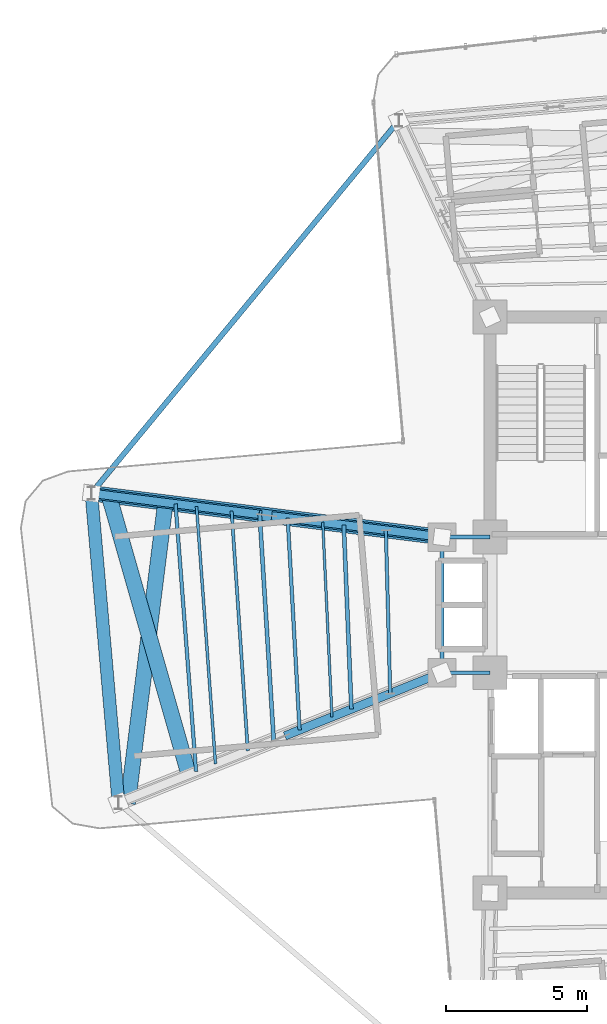
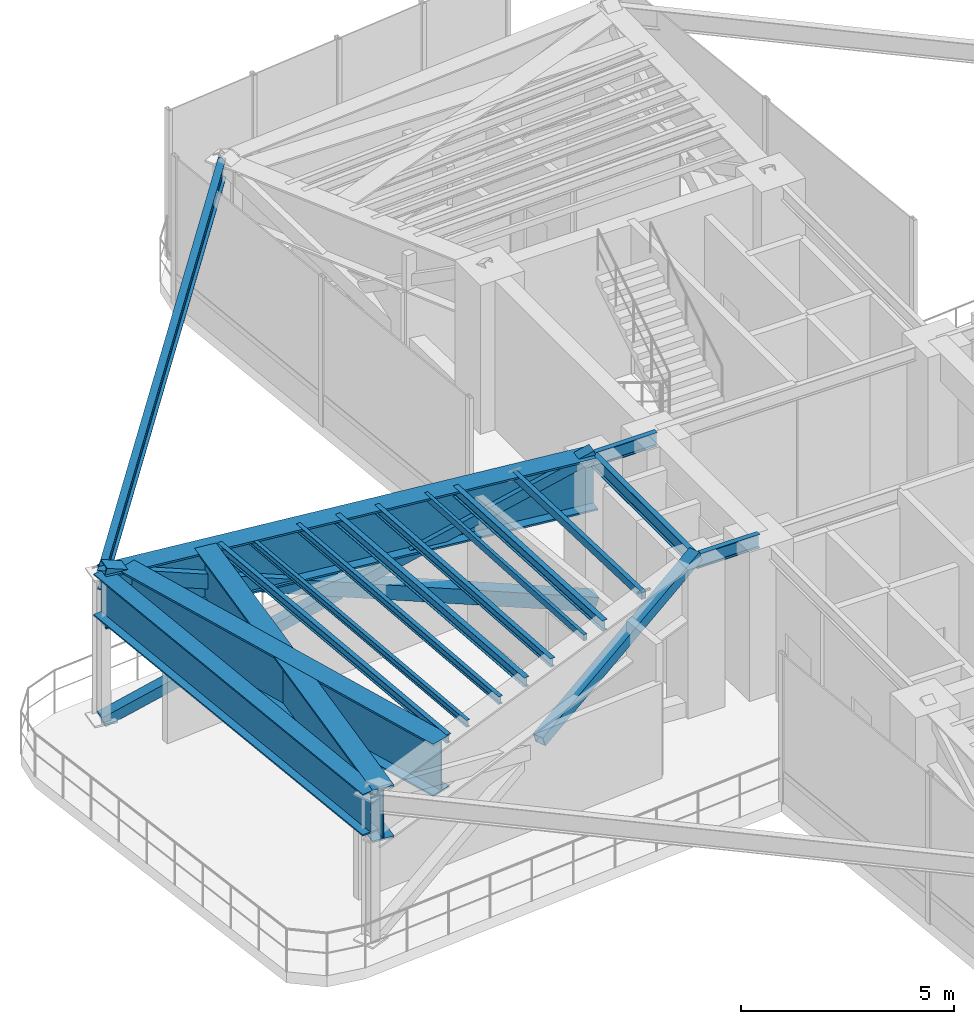
# One storey, part 5 of 17: 16 beams, 4 members.
"""IFC4 building model written with IfcOpenShell, lengths in metres."""

from ifc_helpers import new_model, si_unit, direction, frame, origin, origin_2d, place, context, subcontext, project, spatial, hollow_rectangle, i_section, extrude, source, transform, mapped, material, material_profile, profile_set, type_object, element, save


model = new_model("IFC4")

# Units and contexts
model_context = context("Model", 3, precision=1e-05, world=origin(), true_north=direction((0.0, 1.0)))
body_context = subcontext(model_context, "Body", "Model", "MODEL_VIEW")
ifc_project = project(units=[si_unit("LENGTHUNIT", "METRE"), si_unit("AREAUNIT", "SQUARE_METRE"), si_unit("VOLUMEUNIT", "CUBIC_METRE"), si_unit("PLANEANGLEUNIT", "RADIAN"), si_unit("MASSUNIT", "GRAM", prefix="KILO")], contexts=[model_context])

# Site, building, storey
site_placement = place(None, origin())
site = spatial("IfcSite", under=ifc_project, at=site_placement, CompositionType="ELEMENT")
building_placement = place(site_placement, origin())
building = spatial("IfcBuilding", under=site, at=building_placement, Name="Sahyath Konkavel Grand Hotel", CompositionType="ELEMENT")
storey_placement = place(building_placement, frame((0.0, 0.0, 202.0)))
storey = spatial("IfcBuildingStorey", under=building, at=storey_placement, Name="L56", CompositionType="ELEMENT", Elevation=202.0)

# Beams
ifc_material_1 = material(Name="Steel E350", Category="steel")
ifc_material_profile_1 = material_profile(ifc_material_1, i_section(OverallWidth=0.139892578125, OverallDepth=0.39990234375, WebThickness=0.0087890625, FlangeThickness=0.01611328125, FilletRadius=0.013916015625, at=origin_2d()), Name="ISMB 400")
ifc_profile_set_1 = profile_set([ifc_material_profile_1], Name="Steel E350")
beam_type_1 = type_object("IfcBeamType", Name="BM-ISMB400", PredefinedType="BEAM", material=ifc_profile_set_1)
shared_shape_1 = source(origin(), body_context, "Body", "SweptSolid", [
    extrude(i_section(OverallWidth=0.139892578125, OverallDepth=0.39990234375, WebThickness=0.0087890625, FlangeThickness=0.01611328125, FilletRadius=0.013916015625, at=origin_2d()), origin(), (0.0, 0.0, 1.0), 1.699951171875),
])
for number, where, z_axis, x_axis, name in (
    (1, (-5.5, 2.39990234375, 4.06005859375), (1.0, 0.0, 0.0), (0.0, 1.0, 0.0), "str:bm:L56:HB-NW"),
    (2, (-5.5, -2.39990234375, 4.06005859375), (1.0, 0.0, 0.0), (0.0, 1.0, 0.0), "str:bm:L56:HB-SW"),
):
    element("IfcBeam", number, at=place(storey_placement, frame(where, z_axis=z_axis, x_axis=x_axis)), inside=storey, type_object=beam_type_1, Name=name, PredefinedType="BEAM", context=body_context, shape_type="MappedRepresentation", body=[
        mapped(shared_shape_1, transform((0.0, 0.0, 0.0), scale=1.0)),
    ])
shared_shape_2 = source(origin(), body_context, "Body", "SweptSolid", [
    extrude(i_section(OverallWidth=0.139892578125, OverallDepth=0.39990234375, WebThickness=0.0087890625, FlangeThickness=0.01611328125, FilletRadius=0.013916015625, at=origin_2d()), origin(), (0.0, 0.0, 1.0), 4.7998046875),
])
beam_1_placement = place(storey_placement, frame((-5.5, -2.39990234375, 4.06005859375), z_axis=(0.0, 1.0, 0.0), x_axis=(-1.0, 0.0, 0.0)))
element("IfcBeam", 3, at=beam_1_placement, inside=storey, type_object=beam_type_1, Name="str:bm:L56:HB-W", PredefinedType="BEAM", context=body_context, shape_type="MappedRepresentation", body=[
    mapped(shared_shape_2, transform((0.0, 0.0, 0.0), scale=1.0)),
])
ifc_material_profile_2 = material_profile(ifc_material_1, i_section(OverallWidth=0.139892578125, OverallDepth=0.300048828125, WebThickness=0.0078125, FlangeThickness=0.01318359375, FilletRadius=0.013916015625, at=origin_2d()), Name="ISMB 300")
ifc_profile_set_2 = profile_set([ifc_material_profile_2], Name="Steel E350")
beam_type_2 = type_object("IfcBeamType", Name="BM-ISMB300", PredefinedType="BEAM", material=ifc_profile_set_2)
shared_shape_3 = source(origin(), body_context, "Body", "SweptSolid", [
    extrude(i_section(OverallWidth=0.139892578125, OverallDepth=0.300048828125, WebThickness=0.0078125, FlangeThickness=0.01318359375, FilletRadius=0.013916015625, at=origin_2d()), origin(), (0.0, 0.0, 1.0), 6.530029296875),
])
beam_2_placement = place(storey_placement, frame((-8.9755859375, 2.835205078125, 4.110107421875), z_axis=(0.04112667768, -0.999153940283, 0.0), x_axis=(0.999153940283, 0.04112667768, 0.0)))
element("IfcBeam", 4, at=beam_2_placement, inside=storey, type_object=beam_type_2, Name="L56 Secondary Floor Beam W-1", PredefinedType="BEAM", context=body_context, shape_type="MappedRepresentation", body=[
    mapped(shared_shape_3, transform((0.0, 0.0, 0.0), scale=1.0)),
])
ifc_material_profile_3 = material_profile(ifc_material_1, i_section(OverallWidth=0.139892578125, OverallDepth=0.27490234375, WebThickness=0.00634765625, FlangeThickness=0.0087890625, FilletRadius=0.012939453125, at=origin_2d()), Name="ISLB 275")
ifc_profile_set_3 = profile_set([ifc_material_profile_3], Name="Steel E350")
beam_type_3 = type_object("IfcBeamType", Name="BM-ISLB275", PredefinedType="BEAM", material=ifc_profile_set_3)
shared_shape_4 = source(origin(), body_context, "Body", "SweptSolid", [
    extrude(i_section(OverallWidth=0.139892578125, OverallDepth=0.27490234375, WebThickness=0.00634765625, FlangeThickness=0.0087890625, FilletRadius=0.012939453125, at=origin_2d()), origin(), (0.0, 0.0, 1.0), 8.017822265625),
])
beam_3_placement = place(storey_placement, frame((-11.95458984375, 3.2080078125, 4.12255859375), z_axis=(0.062179233264, -0.998064999362, 0.0), x_axis=(0.998064999362, 0.062179233264, 0.0)))
element("IfcBeam", 5, at=beam_3_placement, inside=storey, type_object=beam_type_3, Name="L56 Secondary Floor Beam W-2", PredefinedType="BEAM", context=body_context, shape_type="MappedRepresentation", body=[
    mapped(shared_shape_4, transform((0.0, 0.0, 0.0), scale=1.0)),
])
ifc_material_profile_4 = material_profile(ifc_material_1, i_section(OverallWidth=0.125, OverallDepth=0.25, WebThickness=0.0068359375, FlangeThickness=0.012451171875, FilletRadius=0.012939453125, at=origin_2d()), Name="ISMB 250")
ifc_profile_set_4 = profile_set([ifc_material_profile_4], Name="Steel E350")
beam_type_4 = type_object("IfcBeamType", Name="BM-ISMB250", PredefinedType="BEAM", material=ifc_profile_set_4)
shared_shape_5 = source(origin(), body_context, "Body", "SweptSolid", [
    extrude(i_section(OverallWidth=0.125, OverallDepth=0.25, WebThickness=0.0068359375, FlangeThickness=0.012451171875, FilletRadius=0.012939453125, at=origin_2d()), origin(), (0.0, 0.0, 1.0), 9.508056640625),
])
beam_4_placement = place(storey_placement, frame((-14.93359375, 3.580810546875, 4.135009765625), z_axis=(0.076619921029, -0.997060373148, 0.0), x_axis=(0.997060373148, 0.076619921029, 0.0)))
element("IfcBeam", 6, at=beam_4_placement, inside=storey, type_object=beam_type_4, Name="L56 Secondary Floor Beam W-3", PredefinedType="BEAM", context=body_context, shape_type="MappedRepresentation", body=[
    mapped(shared_shape_5, transform((0.0, 0.0, 0.0), scale=1.0)),
])
ifc_material_2 = material(Name="Steel E450", Category="steel")
ifc_material_profile_5 = material_profile(ifc_material_2, i_section(OverallWidth=0.550048828125, OverallDepth=1.5, WebThickness=0.028076171875, FlangeThickness=0.050048828125, at=origin_2d()), Name="BPG 1500x550")
ifc_profile_set_5 = profile_set([ifc_material_profile_5], Name="Steel E450")
beam_type_5 = type_object("IfcBeamType", Name="BM-BPG1500", PredefinedType="BEAM", material=ifc_profile_set_5)
shared_shape_6 = source(origin(), body_context, "Body", "SweptSolid", [
    extrude(i_section(OverallWidth=0.550048828125, OverallDepth=1.5, WebThickness=0.028076171875, FlangeThickness=0.050048828125, at=origin_2d()), origin(), (0.0, 0.0, 1.0), 12.509765625),
])
beam_5_placement = place(storey_placement, frame((-5.5, 2.39990234375, 3.510009765625), z_axis=(-0.992254740459, 0.124219684578, 0.0), x_axis=(-0.124219684578, -0.992254740459, 0.0)))
element("IfcBeam", 7, at=beam_5_placement, inside=storey, type_object=beam_type_5, Name="L56 Setback Transfer Girder WA", PredefinedType="BEAM", context=body_context, shape_type="MappedRepresentation", body=[
    mapped(shared_shape_6, transform((0.0, 0.0, 0.0), scale=1.0)),
])
shared_shape_7 = source(origin(), body_context, "Body", "SweptSolid", [
    extrude(i_section(OverallWidth=0.550048828125, OverallDepth=1.5, WebThickness=0.028076171875, FlangeThickness=0.050048828125, at=origin_2d()), origin(), (0.0, 0.0, 1.0), 10.2763671875),
])
beam_6_placement = place(storey_placement, frame((-17.292236328125, 3.876220703125, 3.510009765625), z_axis=(0.275182349095, -0.961392050491, 0.0), x_axis=(0.961392050491, 0.275182349095, 0.0)))
element("IfcBeam", 8, at=beam_6_placement, inside=storey, type_object=beam_type_5, Name="L56 Setback Cross Transfer Girder W-1", PredefinedType="BEAM", context=body_context, shape_type="MappedRepresentation", body=[
    mapped(shared_shape_7, transform((0.0, 0.0, 0.0), scale=1.0)),
])
shared_shape_8 = source(origin(), body_context, "Body", "SweptSolid", [
    extrude(i_section(OverallWidth=0.550048828125, OverallDepth=1.5, WebThickness=0.028076171875, FlangeThickness=0.050048828125, at=origin_2d()), origin(), (0.0, 0.0, 1.0), 10.73876953125),
])
beam_7_placement = place(storey_placement, frame((-15.290771484375, 3.62548828125, 3.510009765625), z_axis=(-0.124199821978, -0.992257226842, 0.0), x_axis=(0.992257226842, -0.124199821978, 0.0)))
element("IfcBeam", 9, at=beam_7_placement, inside=storey, type_object=beam_type_5, Name="L56 Setback Cross Transfer Girder W-2", PredefinedType="BEAM", context=body_context, shape_type="MappedRepresentation", body=[
    mapped(shared_shape_8, transform((0.0, 0.0, 0.0), scale=1.0)),
])
ifc_material_profile_6 = material_profile(ifc_material_2, i_section(OverallWidth=0.449951171875, OverallDepth=1.199951171875, WebThickness=0.02197265625, FlangeThickness=0.0400390625, at=origin_2d()), Name="BPG 1200x450")
ifc_profile_set_6 = profile_set([ifc_material_profile_6], Name="Steel E450")
beam_type_6 = type_object("IfcBeamType", Name="BM-BPG1200", PredefinedType="BEAM", material=ifc_profile_set_6)
shared_shape_9 = source(origin(), body_context, "Body", "SweptSolid", [
    extrude(i_section(OverallWidth=0.449951171875, OverallDepth=1.199951171875, WebThickness=0.02197265625, FlangeThickness=0.0400390625, at=origin_2d()), origin(), (0.0, 0.0, 1.0), 11.0),
])
beam_8_placement = place(storey_placement, frame((-17.912841796875, 3.953857421875, 3.659912109375), z_axis=(0.087157314015, -0.996194560622, 0.0), x_axis=(0.996194560622, 0.087157314015, 0.0)))
element("IfcBeam", 10, at=beam_8_placement, inside=storey, type_object=beam_type_6, Name="L56 Wing Tip Edge Beam W", PredefinedType="BEAM", context=body_context, shape_type="MappedRepresentation", body=[
    mapped(shared_shape_9, transform((0.0, 0.0, 0.0), scale=1.0)),
])
ifc_material_profile_7 = material_profile(ifc_material_1, i_section(OverallWidth=0.18994140625, OverallDepth=0.550048828125, WebThickness=0.01123046875, FlangeThickness=0.019287109375, FilletRadius=0.01806640625, at=origin_2d()), Name="ISMB 550")
ifc_profile_set_7 = profile_set([ifc_material_profile_7], Name="Steel E350")
beam_type_7 = type_object("IfcBeamType", Name="BM-ISMB550", PredefinedType="BEAM", material=ifc_profile_set_7)
shared_shape_10 = source(origin(), body_context, "Body", "SweptSolid", [
    extrude(i_section(OverallWidth=0.18994140625, OverallDepth=0.550048828125, WebThickness=0.01123046875, FlangeThickness=0.019287109375, FilletRadius=0.01806640625, at=origin_2d()), origin(), (0.0, 0.0, 1.0), 17.112548828125),
])
beam_9_placement = place(storey_placement, frame((-7.021728515625, 17.1533203125, 3.985107421875), z_axis=(-0.636437070092, -0.77132863023, 0.0), x_axis=(0.77132863023, -0.636437070092, 0.0)))
element("IfcBeam", 11, at=beam_9_placement, inside=storey, type_object=beam_type_7, Name="L56 Re-Entrant Tie Beam NW", PredefinedType="BEAM", context=body_context, shape_type="MappedRepresentation", body=[
    mapped(shared_shape_10, transform((0.0, 0.0, 0.0), scale=1.0)),
])

# Members
ifc_material_profile_8 = material_profile(ifc_material_2, hollow_rectangle(XDim=0.39990234375, YDim=0.39990234375, WallThickness=0.02001953125, at=origin_2d()), Name="SHS 400x400x20")
ifc_profile_set_8 = profile_set([ifc_material_profile_8], Name="Steel E450")
member_type_1 = type_object("IfcMemberType", Name="BR-SHS400", PredefinedType="BRACE", material=ifc_profile_set_8)
shared_shape_11 = source(origin(), body_context, "Body", "SweptSolid", [
    extrude(hollow_rectangle(XDim=0.39990234375, YDim=0.39990234375, WallThickness=0.02001953125, at=origin_2d()), origin(), (0.0, 0.0, 1.0), 13.208740234375),
])
member_1_placement = place(storey_placement, frame((-5.5, 2.39990234375, 0.010009765625), z_axis=(-0.939744247638, 0.117645932306, 0.320998728414), x_axis=(-0.124219684578, -0.992254740459, 0.0)))
element("IfcMember", 12, at=member_1_placement, inside=storey, type_object=member_type_1, Name="L56 Core Outrigger Truss WA Continuous Diagonal 1", PredefinedType="BRACE", context=body_context, shape_type="MappedRepresentation", body=[
    mapped(shared_shape_11, transform((0.0, 0.0, 0.0), scale=1.0)),
])
ifc_material_profile_9 = material_profile(ifc_material_2, hollow_rectangle(XDim=0.300048828125, YDim=0.300048828125, WallThickness=0.01611328125, at=origin_2d()), Name="SHS 300x300x16")
ifc_profile_set_9 = profile_set([ifc_material_profile_9], Name="Steel E450")
member_type_2 = type_object("IfcMemberType", Name="BR-SHS300", PredefinedType="BRACE", material=ifc_profile_set_9)
shared_shape_12 = source(origin(), body_context, "Body", "SweptSolid", [
    extrude(hollow_rectangle(XDim=0.300048828125, YDim=0.300048828125, WallThickness=0.01611328125, at=origin_2d()), origin(), (0.0, 0.0, 1.0), 6.364501953125),
])
for number, where, z_axis, x_axis, name in (
    (13, (-17.912841796875, 3.953857421875, 0.010009765625), (0.939744349799, -0.117650253932, 0.320996845421), (0.124224163975, 0.992254179676, 0.0), "L56 Core Outrigger Truss WA Split Lower Diagonal 2A"),
    (14, (-11.48095703125, 3.148681640625, 2.20703125), (0.939744349799, -0.117650253932, 0.320996845421), (0.124224163975, 0.992254179676, 0.0), "L56 Core Outrigger Truss WA Split Upper Diagonal 2B"),
):
    element("IfcMember", number, at=place(storey_placement, frame(where, z_axis=z_axis, x_axis=x_axis)), inside=storey, type_object=member_type_2, Name=name, PredefinedType="BRACE", context=body_context, shape_type="MappedRepresentation", body=[
        mapped(shared_shape_12, transform((0.0, 0.0, 0.0), scale=1.0)),
    ])
shared_shape_13 = source(origin(), body_context, "Body", "SweptSolid", [
    extrude(hollow_rectangle(XDim=0.300048828125, YDim=0.300048828125, WallThickness=0.01611328125, at=origin_2d()), origin(), (0.0, 0.0, 1.0), 6.286376953125),
])
member_2_placement = place(storey_placement, frame((-11.016357421875, -4.617431640625, 2.2080078125), z_axis=(0.877522771056, 0.352756774928, 0.324832947869), x_axis=(-0.37298312466, 0.927838126356, 0.0)))
element("IfcMember", 15, at=member_2_placement, inside=storey, type_object=member_type_2, Name="L56 Core Outrigger Truss WB Split Upper Diagonal 2B", PredefinedType="BRACE", context=body_context, shape_type="MappedRepresentation", body=[
    mapped(shared_shape_13, transform((0.0, 0.0, 0.0), scale=1.0)),
])

# Beams
ifc_material_profile_10 = material_profile(ifc_material_1, hollow_rectangle(XDim=0.1201171875, YDim=0.219970703125, WallThickness=0.010009765625, at=origin_2d()), Name="RHS 220x120x10")
ifc_profile_set_10 = profile_set([ifc_material_profile_10], Name="Steel E350")
beam_type_8 = type_object("IfcBeamType", Name="BM-RHS220", PredefinedType="BEAM", material=ifc_profile_set_10)
shared_shape_14 = source(origin(), body_context, "Body", "SweptSolid", [
    extrude(hollow_rectangle(XDim=0.1201171875, YDim=0.219970703125, WallThickness=0.010009765625, at=origin_2d()), origin(), (0.0, 0.0, 1.0), 5.787353515625),
])
beam_10_placement = place(storey_placement, frame((-7.486083984375, 2.648681640625, 4.14990234375), z_axis=(0.026491943658, -0.99964902687, 0.0), x_axis=(0.99964902687, 0.026491943658, 0.0)))
element("IfcBeam", 16, at=beam_10_placement, inside=storey, type_object=beam_type_8, Name="L56 Composite Deck Sub-Beam W-1", PredefinedType="BEAM", context=body_context, shape_type="MappedRepresentation", body=[
    mapped(shared_shape_14, transform((0.0, 0.0, 0.0), scale=1.0)),
])
ifc_material_profile_11 = material_profile(ifc_material_1, hollow_rectangle(XDim=0.090087890625, YDim=0.179931640625, WallThickness=0.008056640625, at=origin_2d()), Name="RHS 180x90x8")
ifc_profile_set_11 = profile_set([ifc_material_profile_11], Name="Steel E350")
beam_type_9 = type_object("IfcBeamType", Name="BM-RHS180", PredefinedType="BEAM", material=ifc_profile_set_11)
shared_shape_15 = source(origin(), body_context, "Body", "SweptSolid", [
    extrude(hollow_rectangle(XDim=0.090087890625, YDim=0.179931640625, WallThickness=0.008056640625, at=origin_2d()), origin(), (0.0, 0.0, 1.0), 6.901611328125),
])
beam_11_placement = place(storey_placement, frame((-9.720458984375, 2.92822265625, 4.169921875), z_axis=(0.047260938611, -0.998882577524, 0.0), x_axis=(0.998882577524, 0.047260938611, 0.0)))
element("IfcBeam", 17, at=beam_11_placement, inside=storey, type_object=beam_type_9, Name="L56 Composite Deck Sub-Beam W-2", PredefinedType="BEAM", context=body_context, shape_type="MappedRepresentation", body=[
    mapped(shared_shape_15, transform((0.0, 0.0, 0.0), scale=1.0)),
])
shared_shape_16 = source(origin(), body_context, "Body", "SweptSolid", [
    extrude(i_section(OverallWidth=0.125, OverallDepth=0.25, WebThickness=0.0068359375, FlangeThickness=0.012451171875, FilletRadius=0.012939453125, at=origin_2d()), origin(), (0.0, 0.0, 1.0), 7.521484375),
])
beam_12_placement = place(storey_placement, frame((-10.961669921875, 3.083740234375, 4.135009765625), z_axis=(0.056090237508, -0.998425703423, 0.0), x_axis=(0.998425703423, 0.056090237508, 0.0)))
element("IfcBeam", 18, at=beam_12_placement, inside=storey, type_object=beam_type_4, Name="L56 Composite Deck Sub-Beam W-3", PredefinedType="BEAM", context=body_context, shape_type="MappedRepresentation", body=[
    mapped(shared_shape_16, transform((0.0, 0.0, 0.0), scale=1.0)),
])
ifc_material_profile_12 = material_profile(ifc_material_1, i_section(OverallWidth=0.110107421875, OverallDepth=0.22509765625, WebThickness=0.006591796875, FlangeThickness=0.01171875, FilletRadius=0.011962890625, at=origin_2d()), Name="ISMB 225")
ifc_profile_set_12 = profile_set([ifc_material_profile_12], Name="Steel E350")
beam_type_10 = type_object("IfcBeamType", Name="BM-ISMB225", PredefinedType="BEAM", material=ifc_profile_set_12)
shared_shape_17 = source(origin(), body_context, "Body", "SweptSolid", [
    extrude(i_section(OverallWidth=0.110107421875, OverallDepth=0.22509765625, WebThickness=0.006591796875, FlangeThickness=0.01171875, FilletRadius=0.011962890625, at=origin_2d()), origin(), (0.0, 0.0, 1.0), 8.514404296875),
])
beam_13_placement = place(storey_placement, frame((-12.94775390625, 3.332275390625, 4.1474609375), z_axis=(0.067556190537, -0.997715471024, 0.0), x_axis=(0.997715471024, 0.067556190537, 0.0)))
element("IfcBeam", 19, at=beam_13_placement, inside=storey, type_object=beam_type_10, Name="L56 Composite Deck Sub-Beam W-4", PredefinedType="BEAM", context=body_context, shape_type="MappedRepresentation", body=[
    mapped(shared_shape_17, transform((0.0, 0.0, 0.0), scale=1.0)),
])
ifc_material_profile_13 = material_profile(ifc_material_1, i_section(OverallWidth=0.10009765625, OverallDepth=0.199951171875, WebThickness=0.005615234375, FlangeThickness=0.0107421875, FilletRadius=0.010986328125, at=origin_2d()), Name="ISMB 200")
ifc_profile_set_13 = profile_set([ifc_material_profile_13], Name="Steel E350")
beam_type_11 = type_object("IfcBeamType", Name="BM-ISMB200", PredefinedType="BEAM", material=ifc_profile_set_13)
shared_shape_18 = source(origin(), body_context, "Body", "SweptSolid", [
    extrude(i_section(OverallWidth=0.10009765625, OverallDepth=0.199951171875, WebThickness=0.005615234375, FlangeThickness=0.0107421875, FilletRadius=0.010986328125, at=origin_2d()), origin(), (0.0, 0.0, 1.0), 9.135498046875),
])
beam_14_placement = place(storey_placement, frame((-14.18896484375, 3.48779296875, 4.159912109375), z_axis=(0.073465127158, -0.997297786567, 0.0), x_axis=(0.997297786567, 0.073465127158, 0.0)))
element("IfcBeam", 20, at=beam_14_placement, inside=storey, type_object=beam_type_11, Name="L56 Composite Deck Sub-Beam W-5", PredefinedType="BEAM", context=body_context, shape_type="MappedRepresentation", body=[
    mapped(shared_shape_18, transform((0.0, 0.0, 0.0), scale=1.0)),
])

save(model, "model.ifc")
